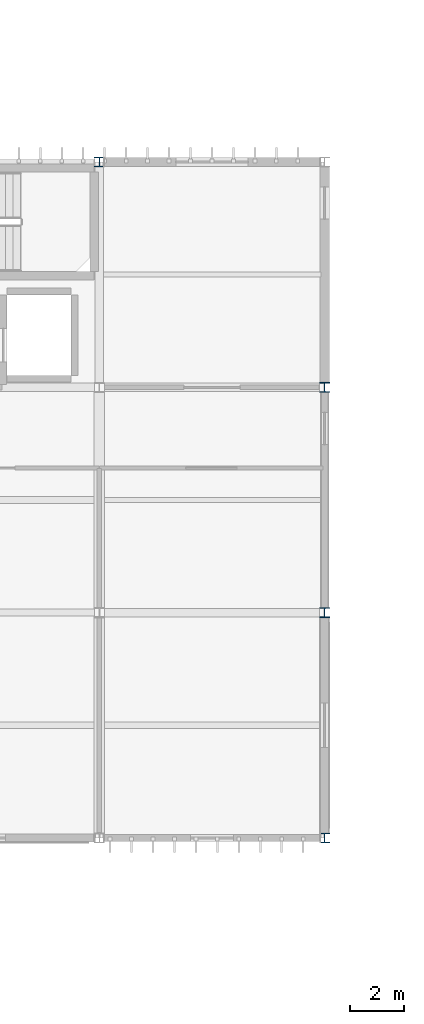
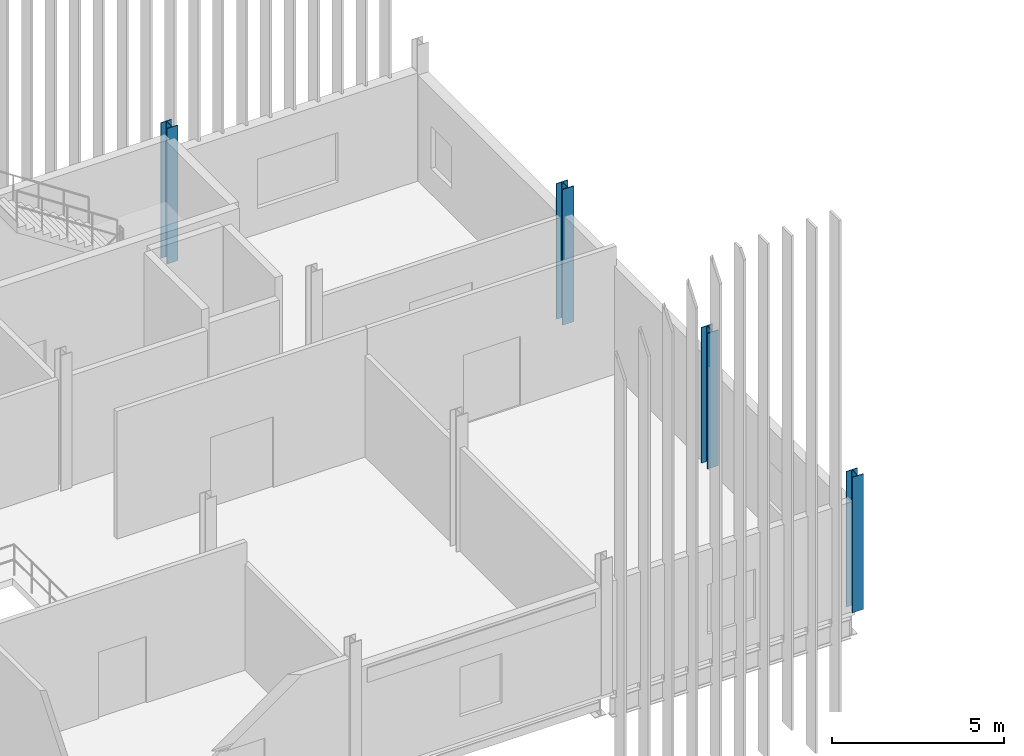
# One storey, part 4 of 72: 4 columns.
"""IFC4 building model written with IfcOpenShell, lengths in metres."""

from ifc_helpers import new_model, si_unit, direction, frame, origin, origin_2d, place, context, subcontext, project, spatial, i_section, extrude, material, material_profile, profile_set, type_object, element, save


model = new_model("IFC4")

# Units and contexts
model_context = context("Model", 3, precision=1e-05, world=origin(), true_north=direction((0.0, 1.0)))
body_context = subcontext(model_context, "Body", "Model", "MODEL_VIEW")
ifc_project = project(units=[si_unit("LENGTHUNIT", "METRE"), si_unit("AREAUNIT", "SQUARE_METRE"), si_unit("VOLUMEUNIT", "CUBIC_METRE"), si_unit("PLANEANGLEUNIT", "RADIAN"), si_unit("MASSUNIT", "GRAM", prefix="KILO")], contexts=[model_context])

# Site, building, storey
site_placement = place(None, origin())
site = spatial("IfcSite", under=ifc_project, at=site_placement, CompositionType="ELEMENT")
building_placement = place(site_placement, origin())
building = spatial("IfcBuilding", under=site, at=building_placement, Name="Calvrana Isthmian Art Gallery", CompositionType="ELEMENT")
storey_placement = place(building_placement, frame((0.0, 0.0, 15.0)))
storey = spatial("IfcBuildingStorey", under=building, at=storey_placement, Name="L03", CompositionType="ELEMENT", Elevation=15.0)

# Columns
ifc_material = material(Name="Steel ASTM A992 Gr 50", Category="steel")
ifc_material_profile_1 = material_profile(ifc_material, i_section(OverallWidth=0.37109375, OverallDepth=0.363037109375, WebThickness=0.01318359375, FlangeThickness=0.021728515625, FilletRadius=0.02490234375, at=origin_2d()), Name="W14X109")
ifc_profile_set_1 = profile_set([ifc_material_profile_1], Name="Steel ASTM A992 Gr 50")
column_type_1 = type_object("IfcColumnType", Name="COL-STL-W14X109", PredefinedType="COLUMN", material=ifc_profile_set_1)
for number, where, z_axis, x_axis, name in (
    (1, (72.0, 46.800048828125, 0.0), (0.0, 0.0, 1.0), (1.0, 0.0, 0.0), "Column 10/G L03"),
    (2, (80.39990234375, 21.60009765625, 0.0), (0.0, 0.0, 1.0), (1.0, 0.0, 0.0), "Column 11/D L03"),
):
    element("IfcColumn", number, at=place(storey_placement, frame(where, z_axis=z_axis, x_axis=x_axis)), inside=storey, type_object=column_type_1, Name=name, PredefinedType="COLUMN", context=body_context, shape_type="SweptSolid", body=[
        extrude(i_section(OverallWidth=0.37109375, OverallDepth=0.363037109375, WebThickness=0.01318359375, FlangeThickness=0.021728515625, FilletRadius=0.02490234375, at=origin_2d()), origin(), (0.0, 0.0, 1.0), 4.800048828125),
    ])
ifc_material_profile_2 = material_profile(ifc_material, i_section(OverallWidth=0.373046875, OverallDepth=0.367919921875, WebThickness=0.014892578125, FlangeThickness=0.02392578125, FilletRadius=0.02490234375, at=origin_2d()), Name="W14X120")
ifc_profile_set_2 = profile_set([ifc_material_profile_2], Name="Steel ASTM A992 Gr 50")
column_type_2 = type_object("IfcColumnType", Name="COL-STL-W14X120", PredefinedType="COLUMN", material=ifc_profile_set_2)
column_1_placement = place(storey_placement, frame((80.39990234375, 30.0, 0.0), z_axis=(0.0, 0.0, 1.0), x_axis=(1.0, 0.0, 0.0)))
element("IfcColumn", 3, at=column_1_placement, inside=storey, type_object=column_type_2, Name="Column 11/E L03", PredefinedType="COLUMN", context=body_context, shape_type="SweptSolid", body=[
    extrude(i_section(OverallWidth=0.373046875, OverallDepth=0.367919921875, WebThickness=0.014892578125, FlangeThickness=0.02392578125, FilletRadius=0.02490234375, at=origin_2d()), origin(), (0.0, 0.0, 1.0), 4.800048828125),
])
ifc_material_profile_3 = material_profile(ifc_material, i_section(OverallWidth=0.373046875, OverallDepth=0.373046875, WebThickness=0.016357421875, FlangeThickness=0.026123046875, FilletRadius=0.02490234375, at=origin_2d()), Name="W14X132")
ifc_profile_set_3 = profile_set([ifc_material_profile_3], Name="Steel ASTM A992 Gr 50")
column_type_3 = type_object("IfcColumnType", Name="COL-STL-W14X132", PredefinedType="COLUMN", material=ifc_profile_set_3)
column_2_placement = place(storey_placement, frame((80.39990234375, 38.39990234375, 0.0), z_axis=(0.0, 0.0, 1.0), x_axis=(1.0, 0.0, 0.0)))
element("IfcColumn", 4, at=column_2_placement, inside=storey, type_object=column_type_3, Name="Column 11/F L03", PredefinedType="COLUMN", context=body_context, shape_type="SweptSolid", body=[
    extrude(i_section(OverallWidth=0.373046875, OverallDepth=0.373046875, WebThickness=0.016357421875, FlangeThickness=0.026123046875, FilletRadius=0.02490234375, at=origin_2d()), origin(), (0.0, 0.0, 1.0), 4.800048828125),
])

save(model, "model.ifc")
